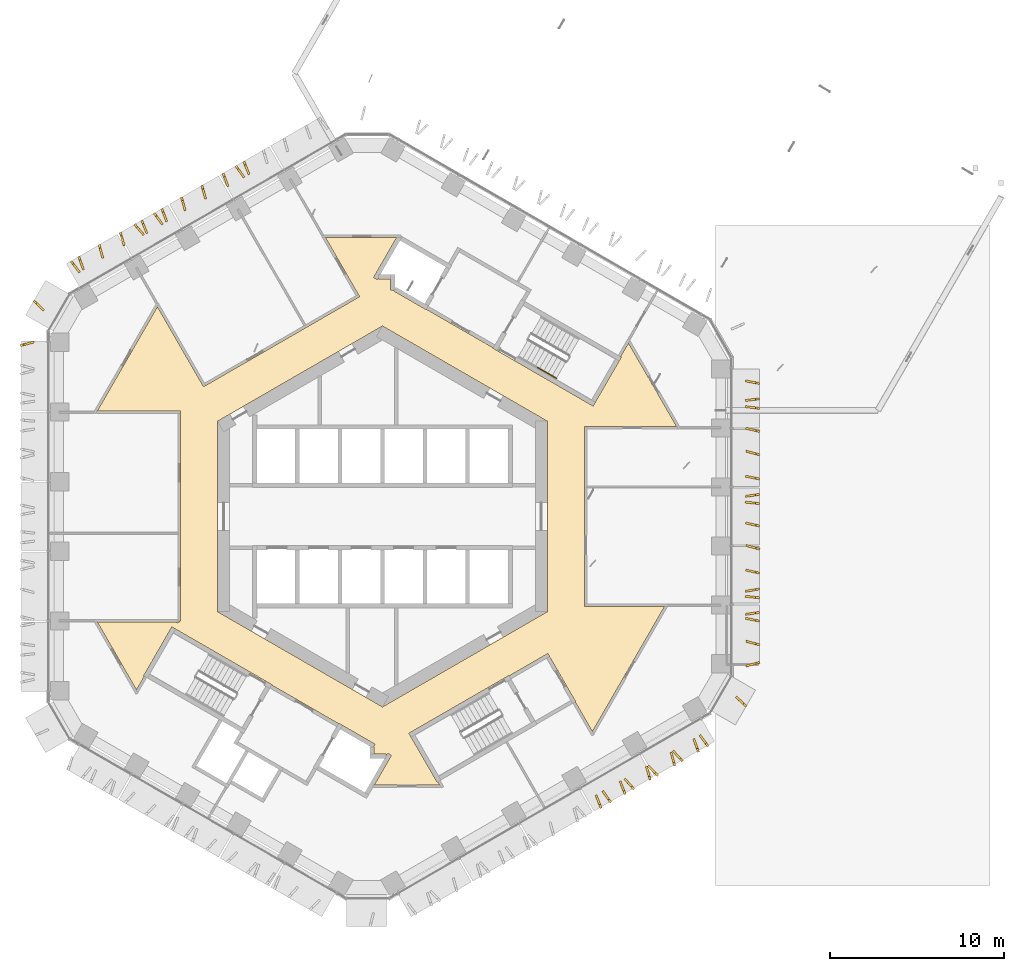
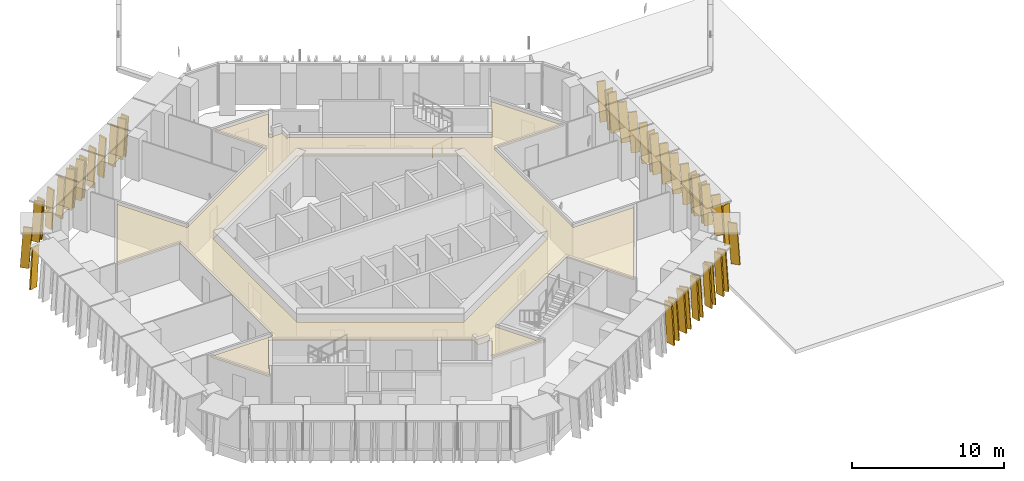
# One storey, part 24 of 25: 43 shading devices, 1 covering, 1 railing.
"""IFC4 building model written with IfcOpenShell, lengths in metres."""

from ifc_helpers import new_model, si_unit, direction, frame, origin, origin_2d, place, context, subcontext, project, spatial, polyline, circle, outline, extrude, material, layer, layer_set, type_object, element, save


model = new_model("IFC4")

# Units and contexts
model_context = context("Model", 3, precision=1e-05, world=origin(), true_north=direction((0.0, 1.0)))
body_context = subcontext(model_context, "Body", "Model", "MODEL_VIEW")
ifc_project = project(units=[si_unit("LENGTHUNIT", "METRE"), si_unit("AREAUNIT", "SQUARE_METRE"), si_unit("VOLUMEUNIT", "CUBIC_METRE"), si_unit("PLANEANGLEUNIT", "RADIAN"), si_unit("MASSUNIT", "GRAM", prefix="KILO")], contexts=[model_context])

# Site, building, storey
site_placement = place(None, origin())
site = spatial("IfcSite", under=ifc_project, at=site_placement, CompositionType="ELEMENT")
building_placement = place(site_placement, origin())
building = spatial("IfcBuilding", under=site, at=building_placement, Name="Ayvan Gate Tower", CompositionType="ELEMENT")
storey_placement = place(building_placement, frame((0.0, 0.0, 132.5)))
storey = spatial("IfcBuildingStorey", under=building, at=storey_placement, Name="L35", CompositionType="ELEMENT", Elevation=132.5)

# Shading devices
ifc_material_1 = material(Name="Bronze anodised aluminium", Category="aluminium")
ifc_layer_1 = layer(ifc_material_1, 0.1201171875)
ifc_layer_set_1 = layer_set([ifc_layer_1], Name="Bronze anodised aluminium")
shading_device_type = type_object("IfcShadingDeviceType", Name="Bronze fin 600 x 120", PredefinedType="USERDEFINED", material=ifc_layer_set_1)
shading_device_1_placement = place(storey_placement, frame((-7.707763671875, 19.92236328125, 0.0), z_axis=(0.927293339649, 0.374335178796, 0.000485961577), x_axis=(-0.374335222998, 0.927293449143, 0.0)))
element("IfcShadingDevice", 1, at=shading_device_1_placement, inside=storey, type_object=shading_device_type, Name="Bronze fin FG12.1.8", ObjectType="FIN", PredefinedType="USERDEFINED", context=body_context, shape_type="SweptSolid", body=[
    extrude(outline(polyline([(0.0, 0.0), (0.6000220155650543, -1.3552527156068805e-20), (0.3834569818150273, 3.2800296841787207), (-0.21656503375002703, 3.2800296841787207), (0.0, 0.0)])), origin(), (0.0, 0.0, -1.0), 0.1201171875),
])
shading_device_2_placement = place(storey_placement, frame((-8.044189453125, 19.7392578125, 0.0), z_axis=(0.808295882597, 0.588776311159, 0.000470737692), x_axis=(-0.588776376373, 0.80829597217, -5.6378e-08)))
element("IfcShadingDevice", 2, at=shading_device_2_placement, inside=storey, type_object=shading_device_type, Name="Bronze fin FG12.1.9", ObjectType="FIN", PredefinedType="USERDEFINED", context=body_context, shape_type="SweptSolid", body=[
    extrude(outline(polyline([(0.0, 0.0), (0.600108279617208, 2.710505431213761e-20), (0.3835117122447833, 3.2800296819140593), (-0.21639922948859436, 3.2800296142593566), (0.0, 0.0)])), origin(), (0.0, 0.0, -1.0), 0.1201171875),
])
shading_device_3_placement = place(storey_placement, frame((-8.9130859375, 19.230224609375, 0.0), z_axis=(0.936854756872, 0.349718420644, 0.000436792834), x_axis=(-0.349718453958, 0.93685484626, -1.14314e-07)))
element("IfcShadingDevice", 3, at=shading_device_3_placement, inside=storey, type_object=shading_device_type, Name="Bronze fin FG12.1.10", ObjectType="FIN", PredefinedType="USERDEFINED", context=body_context, shape_type="SweptSolid", body=[
    extrude(outline(polyline([(0.0, 0.0), (0.6000939606658083, 0.0), (0.3836105542323534, 3.280029653622347), (-0.21634006258767793, 3.2800295164400035), (0.0, 0.0)])), origin(), (0.0, 0.0, -1.0), 0.1201171875),
])
shading_device_4_placement = place(storey_placement, frame((-10.18359375, 18.51513671875, 0.0), z_axis=(0.962856068888, 0.270014793621, 0.000449256156), x_axis=(-0.270014820832, 0.962856166066, -8.8023e-08)))
element("IfcShadingDevice", 4, at=shading_device_4_placement, inside=storey, type_object=shading_device_type, Name="Bronze fin FG12.1.12", ObjectType="FIN", PredefinedType="USERDEFINED", context=body_context, shape_type="SweptSolid", body=[
    extrude(outline(polyline([(0.0, 0.0), (0.5998870886531863, 0.0), (0.3835402483630028, 3.280029661641364), (-0.21641276187730057, 3.2800295560278805), (0.0, 0.0)])), origin(), (0.0, 0.0, -1.0), 0.1201171875),
])
shading_device_5_placement = place(storey_placement, frame((-11.359619140625, 17.836181640625, 0.0), z_axis=(0.962803161758, 0.270203423249, 0.000426348123), x_axis=(-0.270203447807, 0.962803249264, 0.0)))
element("IfcShadingDevice", 5, at=shading_device_5_placement, inside=storey, type_object=shading_device_type, Name="Bronze fin FG12.1.14", ObjectType="FIN", PredefinedType="USERDEFINED", context=body_context, shape_type="SweptSolid", body=[
    extrude(outline(polyline([(0.0, 0.0), (0.5999530217535013, 0.0), (0.38354081840694104, 3.280029594984967), (-0.2164122033465603, 3.280029594984967), (0.0, 0.0)])), origin(), (0.0, 0.0, -1.0), 0.1201171875),
])
shading_device_6_placement = place(storey_placement, frame((-12.441162109375, 17.193359375, 0.0), z_axis=(0.936921390355, 0.349539836836, 0.000459085337), x_axis=(-0.349539873685, 0.936921489083, 3.2655e-08)))
element("IfcShadingDevice", 6, at=shading_device_6_placement, inside=storey, type_object=shading_device_type, Name="Bronze fin FG12.1.16", ObjectType="FIN", PredefinedType="USERDEFINED", context=body_context, shape_type="SweptSolid", body=[
    extrude(outline(polyline([(0.0, 0.0), (0.5998652391022867, -1.3552527156068805e-20), (0.38361075624093743, 3.2800296299967537), (-0.2164832234592698, 3.2800296691811353), (0.0, 0.0)])), origin(), (0.0, 0.0, -1.0), 0.1201171875),
])
shading_device_7_placement = place(storey_placement, frame((-12.748291015625, 17.023193359375, 0.0), z_axis=(0.808463194661, 0.588546558166, 0.0004601624), x_axis=(-0.588546620507, 0.808463280236, 7.5675e-08)))
element("IfcShadingDevice", 7, at=shading_device_7_placement, inside=storey, type_object=shading_device_type, Name="Bronze fin FG12.1.17", ObjectType="FIN", PredefinedType="USERDEFINED", context=body_context, shape_type="SweptSolid", body=[
    extrude(outline(polyline([(0.0, 0.0), (0.6001082758062384, 2.710505431213761e-20), (0.3837090697809063, 3.2800296151100916), (-0.21625551788556, 3.280029705925488), (0.0, 0.0)])), origin(), (0.0, 0.0, -1.0), 0.1201171875),
])
shading_device_8_placement = place(storey_placement, frame((-13.588134765625, 16.52734375, 0.0), z_axis=(0.927293351845, 0.37433518372, 0.000458098897), x_axis=(-0.374335222998, 0.927293449143, 0.0)))
element("IfcShadingDevice", 8, at=shading_device_8_placement, inside=storey, type_object=shading_device_type, Name="Bronze fin FG12.1.18", ObjectType="FIN", PredefinedType="USERDEFINED", context=body_context, shape_type="SweptSolid", body=[
    extrude(outline(polyline([(0.0, 0.0), (0.6000220155650543, -2.710505431213761e-20), (0.3836833718172594, 3.280029641039672), (-0.21633864374779488, 3.280029641039672), (0.0, 0.0)])), origin(), (0.0, 0.0, -1.0), 0.1201171875),
])
shading_device_9_placement = place(storey_placement, frame((-13.8427734375, 16.41650390625, 0.0), z_axis=(0.752072183247, 0.659080574009, 0.000477650537), x_axis=(-0.65908064922, 0.752072269017, 7.3087e-08)))
element("IfcShadingDevice", 9, at=shading_device_9_placement, inside=storey, type_object=shading_device_type, Name="Bronze fin FG12.1.19", ObjectType="FIN", PredefinedType="USERDEFINED", context=body_context, shape_type="SweptSolid", body=[
    extrude(outline(polyline([(0.0, 0.0), (0.5999854015817941, -2.710505431213761e-20), (0.38345554632396633, 3.2800296430189175), (-0.21636894689620187, 3.280029730709238), (0.0, 0.0)])), origin(), (0.0, 0.0, -1.0), 0.1201171875),
])
shading_device_10_placement = place(storey_placement, frame((-14.87353515625, 15.803955078125, 0.0), z_axis=(0.959423691851, 0.281968031575, 0.000456820401), x_axis=(-0.281968060996, 0.95942379196, 0.0)))
element("IfcShadingDevice", 10, at=shading_device_10_placement, inside=storey, type_object=shading_device_type, Name="Bronze fin FG12.1.20", ObjectType="FIN", PredefinedType="USERDEFINED", context=body_context, shape_type="SweptSolid", body=[
    extrude(outline(polyline([(0.0, 0.0), (0.6000305585231902, 0.0), (0.38366598878866565, 3.280029639121312), (-0.2163645697345246, 3.280029639121312), (0.0, 0.0)])), origin(), (0.0, 0.0, -1.0), 0.1201171875),
])
shading_device_11_placement = place(storey_placement, frame((-16.102783203125, 15.099853515625, 0.0), z_axis=(0.964829420845, 0.262876341571, 0.000466598154), x_axis=(-0.262876370187, 0.964829525873, 0.0)))
element("IfcShadingDevice", 11, at=shading_device_11_placement, inside=storey, type_object=shading_device_type, Name="Bronze fin FG12.1.22", ObjectType="FIN", PredefinedType="USERDEFINED", context=body_context, shape_type="SweptSolid", body=[
    extrude(outline(polyline([(0.0, 0.0), (0.5999582375456302, -1.3552527156068805e-20), (0.3835198001173959, 3.2800296539289406), (-0.21643843742823415, 3.2800296539289406), (0.0, 0.0)])), origin(), (0.0, 0.0, -1.0), 0.1201171875),
])
shading_device_12_placement = place(storey_placement, frame((-17.236572265625, 14.427978515625, 0.0), z_axis=(0.943087882297, 0.332543288665, 0.00045544309), x_axis=(-0.332543323154, 0.943087980109, 0.0)))
element("IfcShadingDevice", 12, at=shading_device_12_placement, inside=storey, type_object=shading_device_type, Name="Bronze fin FG12.1.24", ObjectType="FIN", PredefinedType="USERDEFINED", context=body_context, shape_type="SweptSolid", body=[
    extrude(outline(polyline([(0.0, 0.0), (0.5998102404611585, 0.0), (0.38340087822417684, 3.280029637060681), (-0.21640936223698165, 3.280029637060681), (0.0, 0.0)])), origin(), (0.0, 0.0, -1.0), 0.1201171875),
])
shading_device_13_placement = place(storey_placement, frame((-17.52685546875, 14.2685546875, 0.0), z_axis=(0.797453931939, 0.603379684217, 0.000427911564), x_axis=(-0.603379739459, 0.79745400495, 0.0)))
element("IfcShadingDevice", 13, at=shading_device_13_placement, inside=storey, type_object=shading_device_type, Name="Bronze fin FG12.1.25", ObjectType="FIN", PredefinedType="USERDEFINED", context=body_context, shape_type="SweptSolid", body=[
    extrude(outline(polyline([(0.0, 0.0), (0.6000542000291014, 0.0), (0.38374960886025666, 3.280029597175347), (-0.21630459116884465, 3.280029597175347), (0.0, 0.0)])), origin(), (0.0, 0.0, -1.0), 0.1201171875),
])
shading_device_14_placement = place(storey_placement, frame((-19.6171875, 12.060302734375, 0.0), z_axis=(0.690122355678, 0.7236925764, 0.000434806499), x_axis=(-0.723692644791, 0.690122420934, -6.106e-08)))
element("IfcShadingDevice", 14, at=shading_device_14_placement, inside=storey, type_object=shading_device_type, Name="Bronze fin FG12.2.26", ObjectType="FIN", PredefinedType="USERDEFINED", context=body_context, shape_type="SweptSolid", body=[
    extrude(outline(polyline([(0.0, 0.0), (0.599895788169426, 2.710505431213761e-20), (0.383560718255531, 3.2800296303509904), (-0.21651175268850217, 3.2800295570809945), (0.0, 0.0)])), origin(), (0.0, 0.0, -1.0), 0.1201171875),
])
shading_device_15_placement = place(storey_placement, frame((-20.294921875, 10.051025390625, 0.0), z_axis=(-0.250856222951, 0.968024256934, 0.000439765083), x_axis=(-0.968024350549, -0.250856247171, -8.6615e-08)))
element("IfcShadingDevice", 15, at=shading_device_15_placement, inside=storey, type_object=shading_device_type, Name="Bronze fin FG12.3.27", ObjectType="FIN", PredefinedType="USERDEFINED", context=body_context, shape_type="SweptSolid", body=[
    extrude(outline(polyline([(0.0, 0.0), (0.5999651802277209, 1.3552527156068805e-20), (0.3837251826258792, 3.280029647279147), (-0.21630124180281124, 3.2800295433423705), (0.0, 0.0)])), origin(), (0.0, 0.0, -1.0), 0.1201171875),
])
shading_device_16_placement = place(storey_placement, frame((12.3193359375, -16.26611328125, 0.0), z_axis=(-0.932993762786, -0.359892273521, 0.000435962048), x_axis=(0.359892307756, -0.932993851436, 8.2745e-08)))
element("IfcShadingDevice", 16, at=shading_device_16_placement, inside=storey, type_object=shading_device_type, Name="Bronze fin FG12.7.94", ObjectType="FIN", PredefinedType="USERDEFINED", context=body_context, shape_type="SweptSolid", body=[
    extrude(outline(polyline([(0.0, 0.0), (0.6000633773700281, 0.0), (0.38364321726244993, 3.2800295768365495), (-0.21633229577462995, 3.2800296761334566), (0.0, 0.0)])), origin(), (0.0, 0.0, -1.0), 0.1201171875),
])
shading_device_17_placement = place(storey_placement, frame((12.7578125, -16.01953125, 0.0), z_axis=(-0.815804386991, -0.578327779453, 0.000426237676), x_axis=(0.578327831971, -0.815804461111, -5.0154e-08)))
element("IfcShadingDevice", 17, at=shading_device_17_placement, inside=storey, type_object=shading_device_type, Name="Bronze fin FG12.7.95", ObjectType="FIN", PredefinedType="USERDEFINED", context=body_context, shape_type="SweptSolid", body=[
    extrude(outline(polyline([(0.0, 0.0), (0.599973582460267, 1.3552527156068805e-20), (0.3834498872247124, 3.2800296140620087), (-0.21632452422454138, 3.280029553890086), (0.0, 0.0)])), origin(), (0.0, 0.0, -1.0), 0.1201171875),
])
shading_device_18_placement = place(storey_placement, frame((13.7060546875, -15.465087890625, 0.0), z_axis=(-0.931874681269, -0.362780034214, 0.000474537134), x_axis=(0.362780075101, -0.931874786176, 8.9968e-08)))
element("IfcShadingDevice", 18, at=shading_device_18_placement, inside=storey, type_object=shading_device_type, Name="Bronze fin FG12.7.96", ObjectType="FIN", PredefinedType="USERDEFINED", context=body_context, shape_type="SweptSolid", body=[
    extrude(outline(polyline([(0.0, 0.0), (0.5999983123369321, 0.0), (0.3836336595131809, 3.280029631667848), (-0.21627608346947855, 3.2800297396211078), (0.0, 0.0)])), origin(), (0.0, 0.0, -1.0), 0.1201171875),
])
shading_device_19_placement = place(storey_placement, frame((14.04541015625, -15.307373046875, 0.0), z_axis=(-0.745182698022, -0.666860192224, 0.000480203699), x_axis=(0.666860269135, -0.745182783919, 6.5156e-08)))
element("IfcShadingDevice", 19, at=shading_device_19_placement, inside=storey, type_object=shading_device_type, Name="Bronze fin FG12.7.97", ObjectType="FIN", PredefinedType="USERDEFINED", context=body_context, shape_type="SweptSolid", body=[
    extrude(outline(polyline([(0.0, 0.0), (0.5999545064618788, 0.0), (0.3837483026363814, 3.2800296500518513), (-0.21638813321610265, 3.2800297282445565), (0.0, 0.0)])), origin(), (0.0, 0.0, -1.0), 0.1201171875),
])
shading_device_20_placement = place(storey_placement, frame((15.19970703125, -14.621826171875, 0.0), z_axis=(-0.961308579036, -0.275473400215, 0.000470793098), x_axis=(0.275473430755, -0.961308685568, 2.6391e-08)))
element("IfcShadingDevice", 20, at=shading_device_20_placement, inside=storey, type_object=shading_device_type, Name="Bronze fin FG12.7.98", ObjectType="FIN", PredefinedType="USERDEFINED", context=body_context, shape_type="SweptSolid", body=[
    extrude(outline(polyline([(0.0, 0.0), (0.5998795478350225, 0.0), (0.3836787102505503, 3.2800296502523163), (-0.21643553208778463, 3.2800296819213495), (0.0, 0.0)])), origin(), (0.0, 0.0, -1.0), 0.1201171875),
])
shading_device_21_placement = place(storey_placement, frame((15.395263671875, -14.54931640625, 0.0), z_axis=(-0.707513447758, -0.706699746265, 0.000435740632), x_axis=(0.706699813356, -0.707513514926, 0.0)))
element("IfcShadingDevice", 21, at=shading_device_21_placement, inside=storey, type_object=shading_device_type, Name="Bronze fin FG12.7.99", ObjectType="FIN", PredefinedType="USERDEFINED", context=body_context, shape_type="SweptSolid", body=[
    extrude(outline(polyline([(0.0, 0.0), (0.600074115784975, 0.0), (0.3837634927806824, 3.280029608264458), (-0.21631062300429266, 3.280029608264458), (0.0, 0.0)])), origin(), (0.0, 0.0, -1.0), 0.1201171875),
])
shading_device_22_placement = place(storey_placement, frame((16.617919921875, -13.8056640625, 0.0), z_axis=(-0.963942145577, -0.266111508319, 0.000452903434), x_axis=(0.266111535611, -0.963942244439, 0.0)))
element("IfcShadingDevice", 22, at=shading_device_22_placement, inside=storey, type_object=shading_device_type, Name="Bronze fin FG12.7.100", ObjectType="FIN", PredefinedType="USERDEFINED", context=body_context, shape_type="SweptSolid", body=[
    extrude(outline(polyline([(0.0, 0.0), (0.6000039358804674, 0.0), (0.3836122819667457, 3.2800296332773504), (-0.21639165391372178, 3.2800296332773504), (0.0, 0.0)])), origin(), (0.0, 0.0, -1.0), 0.1201171875),
])
shading_device_23_placement = place(storey_placement, frame((16.839111328125, -13.70068359375, 0.0), z_axis=(-0.733647903118, -0.679529671773, 0.000423592056), x_axis=(0.679529732737, -0.733647968937, 0.0)))
element("IfcShadingDevice", 23, at=shading_device_23_placement, inside=storey, type_object=shading_device_type, Name="Bronze fin FG12.7.101", ObjectType="FIN", PredefinedType="USERDEFINED", context=body_context, shape_type="SweptSolid", body=[
    extrude(outline(polyline([(0.0, 0.0), (0.5999955912269104, -2.710505431213761e-20), (0.38364682368248526, 3.280029591143245), (-0.21634876754442517, 3.280029591143245), (0.0, 0.0)])), origin(), (0.0, 0.0, -1.0), 0.1201171875),
])
shading_device_24_placement = place(storey_placement, frame((17.9404296875, -13.02392578125, 0.0), z_axis=(-0.93961495877, -0.342233079396, 0.000498621402), x_axis=(0.34223312194, -0.939615075575, 0.0)))
element("IfcShadingDevice", 24, at=shading_device_24_placement, inside=storey, type_object=shading_device_type, Name="Bronze fin FG12.7.102", ObjectType="FIN", PredefinedType="USERDEFINED", context=body_context, shape_type="SweptSolid", body=[
    extrude(outline(polyline([(0.0, 0.0), (0.5999485510384431, -1.3552527156068805e-20), (0.3835858007159246, 3.280029704620935), (-0.21636275032251864, 3.280029704620935), (0.0, 0.0)])), origin(), (0.0, 0.0, -1.0), 0.1201171875),
])
shading_device_25_placement = place(storey_placement, frame((18.35009765625, -12.794921875, 0.0), z_axis=(-0.803888496924, -0.594779849444, 0.000463905978), x_axis=(0.594779913445, -0.803888583426, 0.0)))
element("IfcShadingDevice", 25, at=shading_device_25_placement, inside=storey, type_object=shading_device_type, Name="Bronze fin FG12.7.103", ObjectType="FIN", PredefinedType="USERDEFINED", context=body_context, shape_type="SweptSolid", body=[
    extrude(outline(polyline([(0.0, 0.0), (0.6001103697036119, 0.0), (0.38378728851436184, 3.2800296498205697), (-0.21632308118925006, 3.2800296498205697), (0.0, 0.0)])), origin(), (0.0, 0.0, -1.0), 0.1201171875),
])
shading_device_26_placement = place(storey_placement, frame((20.474853515625, -10.572021484375, 0.0), z_axis=(-0.685948166521, -0.727650234771, 0.000498682044), x_axis=(0.727650325224, -0.685948251839, -6.9596e-08)))
element("IfcShadingDevice", 26, at=shading_device_26_placement, inside=storey, type_object=shading_device_type, Name="Bronze fin FG12.8.104", ObjectType="FIN", PredefinedType="USERDEFINED", context=body_context, shape_type="SweptSolid", body=[
    extrude(outline(polyline([(0.0, 0.0), (0.5999871909427696, 2.710505431213761e-20), (0.3836338165432119, 3.2800297314194373), (-0.2165310234047395, 3.2800296478938717), (0.0, 0.0)])), origin(), (0.0, 0.0, -1.0), 0.1201171875),
])
shading_device_27_placement = place(storey_placement, frame((21.158447265625, -8.61767578125, 0.0), z_axis=(0.253912376063, -0.967227112021, 0.000468030778), x_axis=(0.967227217958, 0.253912403873, 0.0)))
element("IfcShadingDevice", 27, at=shading_device_27_placement, inside=storey, type_object=shading_device_type, Name="Bronze fin FG12.9.105", ObjectType="FIN", PredefinedType="USERDEFINED", context=body_context, shape_type="SweptSolid", body=[
    extrude(outline(polyline([(0.0, 0.0), (0.5999854582772782, 1.3552527156068805e-20), (0.38356578135481645, 3.2800296561248747), (-0.21641967692246175, 3.2800296561248747), (0.0, 0.0)])), origin(), (0.0, 0.0, -1.0), 0.1201171875),
])
shading_device_28_placement = place(storey_placement, frame((21.12890625, -7.29833984375, 0.0), z_axis=(-0.257536010337, -0.966268601186, 0.00044016106), x_axis=(0.966268694789, -0.257536035285, 0.0)))
element("IfcShadingDevice", 28, at=shading_device_28_placement, inside=storey, type_object=shading_device_type, Name="Bronze fin FG12.9.106", ObjectType="FIN", PredefinedType="USERDEFINED", context=body_context, shape_type="SweptSolid", body=[
    extrude(outline(polyline([(0.0, 0.0), (0.6000753077294502, 2.710505431213761e-20), (0.3836634018941275, 3.2800296146143686), (-0.21641190583532263, 3.2800296146143686), (0.0, 0.0)])), origin(), (0.0, 0.0, -1.0), 0.1201171875),
])
shading_device_29_placement = place(storey_placement, frame((21.115234375, -5.96923828125, 0.0), z_axis=(-0.195333467102, -0.980736782741, 0.000446775933), x_axis=(0.980736880623, -0.195333486597, 0.0)))
element("IfcShadingDevice", 29, at=shading_device_29_placement, inside=storey, type_object=shading_device_type, Name="Bronze fin FG12.9.108", ObjectType="FIN", PredefinedType="USERDEFINED", context=body_context, shape_type="SweptSolid", body=[
    extrude(outline(polyline([(0.0, 0.0), (0.5999355361005015, 0.0), (0.38356729721341504, 3.280029624236298), (-0.2163682388870866, 3.280029624236298), (0.0, 0.0)])), origin(), (0.0, 0.0, -1.0), 0.1201171875),
])
shading_device_30_placement = place(storey_placement, frame((21.12353515625, -5.669921875, 0.0), z_axis=(0.13814496546, -0.990411917321, 0.000450051081), x_axis=(0.990412017618, 0.138144979491, 9.0684e-08)))
element("IfcShadingDevice", 30, at=shading_device_30_placement, inside=storey, type_object=shading_device_type, Name="Bronze fin FG12.9.109", ObjectType="FIN", PredefinedType="USERDEFINED", context=body_context, shape_type="SweptSolid", body=[
    extrude(outline(polyline([(0.0, 0.0), (0.60000784763385, -6.776263578034403e-21), (0.3835200771879383, 3.2800295942742816), (-0.21645404364427812, 3.2800297030934886), (0.0, 0.0)])), origin(), (0.0, 0.0, -1.0), 0.1201171875),
])
shading_device_31_placement = place(storey_placement, frame((21.104248046875, -4.68212890625, 0.0), z_axis=(-0.108242769746, -0.994124385303, 0.000457540002), x_axis=(0.99412448936, -0.108242781076, 0.0)))
element("IfcShadingDevice", 31, at=shading_device_31_placement, inside=storey, type_object=shading_device_type, Name="Bronze fin FG12.9.110", ObjectType="FIN", PredefinedType="USERDEFINED", context=body_context, shape_type="SweptSolid", body=[
    extrude(outline(polyline([(0.0, 0.0), (0.5999606218926438, 0.0), (0.3836836896889326, 3.2800296402003997), (-0.21627693220371114, 3.2800296402003997), (0.0, 0.0)])), origin(), (0.0, 0.0, -1.0), 0.1201171875),
])
shading_device_32_placement = place(storey_placement, frame((21.130859375, -4.3359375, 0.0), z_axis=(0.16802646456, -0.985782381665, 0.000450783469), x_axis=(0.985782481824, 0.168026481632, 0.0)))
element("IfcShadingDevice", 32, at=shading_device_32_placement, inside=storey, type_object=shading_device_type, Name="Bronze fin FG12.9.111", ObjectType="FIN", PredefinedType="USERDEFINED", context=body_context, shape_type="SweptSolid", body=[
    extrude(outline(polyline([(0.0, 0.0), (0.6000844458917703, -1.3552527156068805e-20), (0.38363242966397193, 3.2800296301354352), (-0.21645201622779842, 3.2800296301354352), (0.0, 0.0)])), origin(), (0.0, 0.0, -1.0), 0.1201171875),
])
shading_device_33_placement = place(storey_placement, frame((21.119384765625, -3.19189453125, 0.0), z_axis=(-0.216887351269, -0.976196539766, 0.000438871855), x_axis=(0.976196633778, -0.216887372157, 0.0)))
element("IfcShadingDevice", 33, at=shading_device_33_placement, inside=storey, type_object=shading_device_type, Name="Bronze fin FG12.9.112", ObjectType="FIN", PredefinedType="USERDEFINED", context=body_context, shape_type="SweptSolid", body=[
    extrude(outline(polyline([(0.0, 0.0), (0.5999747787578815, -6.776263578034403e-21), (0.38357399963898997, 3.2800296127558166), (-0.21640077911889158, 3.2800296127558166), (0.0, 0.0)])), origin(), (0.0, 0.0, -1.0), 0.1201171875),
])
shading_device_34_placement = place(storey_placement, frame((21.129150390625, -1.78271484375, 0.0), z_axis=(-0.258776726276, -0.965937025439, 0.000518482602), x_axis=(0.965937155273, -0.258776761059, 0.0)))
element("IfcShadingDevice", 34, at=shading_device_34_placement, inside=storey, type_object=shading_device_type, Name="Bronze fin FG12.9.114", ObjectType="FIN", PredefinedType="USERDEFINED", context=body_context, shape_type="SweptSolid", body=[
    extrude(outline(polyline([(0.0, 0.0), (0.6000285221314199, 2.710505431213761e-20), (0.38372440928655044, 3.2800297377507297), (-0.21630411284486945, 3.2800297377507297), (0.0, 0.0)])), origin(), (0.0, 0.0, -1.0), 0.1201171875),
])
shading_device_35_placement = place(storey_placement, frame((21.11865234375, -0.47998046875, 0.0), z_axis=(-0.213611918164, -0.976918505735, 0.00042611086), x_axis=(0.976918594425, -0.213611937556, 0.0)))
element("IfcShadingDevice", 35, at=shading_device_35_placement, inside=storey, type_object=shading_device_type, Name="Bronze fin FG12.9.116", ObjectType="FIN", PredefinedType="USERDEFINED", context=body_context, shape_type="SweptSolid", body=[
    extrude(outline(polyline([(0.0, 0.0), (0.6000312042069427, 0.0), (0.3835544190504093, 3.280029594653263), (-0.21647678515653326, 3.280029594653263), (0.0, 0.0)])), origin(), (0.0, 0.0, -1.0), 0.1201171875),
])
shading_device_36_placement = place(storey_placement, frame((21.10400390625, 0.74365234375, 0.0), z_axis=(-0.102968569121, -0.994684517514, 0.000429407429), x_axis=(0.99468460922, -0.102968578614, 0.0)))
element("IfcShadingDevice", 36, at=shading_device_36_placement, inside=storey, type_object=shading_device_type, Name="Bronze fin FG12.9.118", ObjectType="FIN", PredefinedType="USERDEFINED", context=body_context, shape_type="SweptSolid", body=[
    extrude(outline(polyline([(0.0, 0.0), (0.5998682215141302, 0.0), (0.38348514220554497, 3.280029599278556), (-0.21638307930858527, 3.280029599278556), (0.0, 0.0)])), origin(), (0.0, 0.0, -1.0), 0.1201171875),
])
shading_device_37_placement = place(storey_placement, frame((21.12451171875, 1.127197265625, 0.0), z_axis=(0.142019507456, -0.989863758984, 0.000445142257), x_axis=(0.989863857055, 0.142019521532, 1.2866e-08)))
element("IfcShadingDevice", 37, at=shading_device_37_placement, inside=storey, type_object=shading_device_type, Name="Bronze fin FG12.9.119", ObjectType="FIN", PredefinedType="USERDEFINED", context=body_context, shape_type="SweptSolid", body=[
    extrude(outline(polyline([(0.0, 0.0), (0.5998324495538215, 0.0), (0.3834890325054706, 3.280029616912841), (-0.21658508302907722, 3.28002963235025), (0.0, 0.0)])), origin(), (0.0, 0.0, -1.0), 0.1201171875),
])
shading_device_38_placement = place(storey_placement, frame((21.115478515625, 2.215576171875, 0.0), z_axis=(-0.19674209253, -0.980455164324, 0.000468804756), x_axis=(0.980455272072, -0.196742114115, 7.4769e-08)))
element("IfcShadingDevice", 38, at=shading_device_38_placement, inside=storey, type_object=shading_device_type, Name="Bronze fin FG12.9.120", ObjectType="FIN", PredefinedType="USERDEFINED", context=body_context, shape_type="SweptSolid", body=[
    extrude(outline(polyline([(0.0, 0.0), (0.599839646371757, 6.776263578034403e-21), (0.3836611070895495, 3.280029628627922), (-0.21646594098781963, 3.280029718348741), (0.0, 0.0)])), origin(), (0.0, 0.0, -1.0), 0.1201171875),
])
shading_device_39_placement = place(storey_placement, frame((21.128662109375, 3.64697265625, 0.0), z_axis=(-0.256725550596, -0.966484224152, 0.000485939704), x_axis=(0.966484338266, -0.256725580895, 2.5373e-08)))
element("IfcShadingDevice", 39, at=shading_device_39_placement, inside=storey, type_object=shading_device_type, Name="Bronze fin FG12.9.122", ObjectType="FIN", PredefinedType="USERDEFINED", context=body_context, shape_type="SweptSolid", body=[
    extrude(outline(polyline([(0.0, 0.0), (0.600185700504289, 1.3552527156068805e-20), (0.3835392067064459, 3.280029674412225), (-0.216410535707446, 3.2800297048635505), (0.0, 0.0)])), origin(), (0.0, 0.0, -1.0), 0.1201171875),
])
shading_device_40_placement = place(storey_placement, frame((21.122314453125, 4.972900390625, 0.0), z_axis=(-0.230648805408, -0.973036935689, 0.000500347746), x_axis=(0.973037057488, -0.230648834279, 0.0)))
element("IfcShadingDevice", 40, at=shading_device_40_placement, inside=storey, type_object=shading_device_type, Name="Bronze fin FG12.9.124", ObjectType="FIN", PredefinedType="USERDEFINED", context=body_context, shape_type="SweptSolid", body=[
    extrude(outline(polyline([(0.0, 0.0), (0.6001666334346955, 0.0), (0.38374773437942034, 3.280029707449246), (-0.21641889905527517, 3.280029707449246), (0.0, 0.0)])), origin(), (0.0, 0.0, -1.0), 0.1201171875),
])
shading_device_41_placement = place(storey_placement, frame((21.10595703125, 6.24072265625, 0.0), z_axis=(-0.127764752392, -0.991804407502, 0.000430471866), x_axis=(0.991804499395, -0.127764764235, -1.1192e-08)))
element("IfcShadingDevice", 41, at=shading_device_41_placement, inside=storey, type_object=shading_device_type, Name="Bronze fin FG12.9.126", ObjectType="FIN", PredefinedType="USERDEFINED", context=body_context, shape_type="SweptSolid", body=[
    extrude(outline(polyline([(0.0, 0.0), (0.5998890871570237, -6.776263578034403e-21), (0.3835784163140588, 3.2800296050725257), (-0.21655281061332501, 3.280029591642292), (0.0, 0.0)])), origin(), (0.0, 0.0, -1.0), 0.1201171875),
])
shading_device_42_placement = place(storey_placement, frame((21.11962890625, 6.64404296875, 0.0), z_axis=(0.120027573886, -0.992770441636, 0.000481373162), x_axis=(0.992770556659, 0.120027587793, 0.0)))
element("IfcShadingDevice", 42, at=shading_device_42_placement, inside=storey, type_object=shading_device_type, Name="Bronze fin FG12.9.127", ObjectType="FIN", PredefinedType="USERDEFINED", context=body_context, shape_type="SweptSolid", body=[
    extrude(outline(polyline([(0.0, 0.0), (0.6000410880484303, -6.776263578034403e-21), (0.3835778021119822, 3.280029676899459), (-0.216463285936448, 3.280029676899459), (0.0, 0.0)])), origin(), (0.0, 0.0, -1.0), 0.1201171875),
])
shading_device_43_placement = place(storey_placement, frame((21.112548828125, 7.709228515625, 0.0), z_axis=(-0.180012977346, -0.983664133838, 0.000446975131), x_axis=(0.983664232107, -0.180012995289, 8.9435e-08)))
element("IfcShadingDevice", 43, at=shading_device_43_placement, inside=storey, type_object=shading_device_type, Name="Bronze fin FG12.9.128", ObjectType="FIN", PredefinedType="USERDEFINED", context=body_context, shape_type="SweptSolid", body=[
    extrude(outline(polyline([(0.0, 0.0), (0.6001137346564895, -1.3552527156068805e-20), (0.3836897871879528, 3.2800295902130534), (-0.21646789595371466, 3.2800296975591348), (0.0, 0.0)])), origin(), (0.0, 0.0, -1.0), 0.1201171875),
])

# Covering
ifc_material_2 = material(Name="Plasterboard suspended ceiling")
ifc_layer_2 = layer(ifc_material_2, 0.050048828125)
ifc_layer_set_2 = layer_set([ifc_layer_2], Name="Plasterboard suspended ceiling")
covering_type = type_object("IfcCoveringType", Name="CT-SUSP-50", PredefinedType="CEILING", material=ifc_layer_set_2)
covering_placement = place(storey_placement, frame((0.0, 0.0, 2.699951171875)))
element("IfcCovering", 44, at=covering_placement, inside=storey, type_object=covering_type, Name="Ceiling Ring Corridor L35", PredefinedType="CEILING", context=body_context, shape_type="SweptSolid", body=[
    extrude(outline(polyline([(-11.914794921875, -6.48681640625), (-12.131103515625, -6.36181640625), (-13.756103515625, -9.17626953125), (-13.712890625, -9.201416015625), (-14.1669921875, -9.988037109375), (-16.4208984375, -6.08447265625), (-11.82666015625, -6.08447265625), (-11.870849609375, -6.160888671875), (-11.699951171875, -6.062255859375), (-11.699951171875, -6.009521484375), (-11.625, -6.009521484375), (-11.625, 6.08447265625), (-16.4208984375, 6.08447265625), (-12.96240234375, 12.07470703125), (-10.305908203125, 7.473388671875), (-10.193115234375, 7.538330078125), (-1.319091796875, 12.66162109375), (-1.394287109375, 12.791748046875), (-3.282958984375, 16.06298828125), (0.81591796875, 16.06298828125), (-0.511474609375, 13.76416015625), (-0.294921875, 13.63916015625), (-0.215576171875, 13.776611328125), (-0.215576171875, 13.68505859375), (0.47509765625, 13.68505859375), (0.47509765625, 13.03857421875), (0.672119140625, 13.03857421875), (0.645751953125, 12.992919921875), (2.518310546875, 11.91162109375), (2.53076171875, 11.933349609375), (6.384521484375, 9.70849609375), (6.3720703125, 9.686767578125), (6.588623046875, 9.561767578125), (12.131103515625, 6.36181640625), (12.24609375, 6.56103515625), (13.631103515625, 8.959716796875), (13.756103515625, 9.176513671875), (13.712890625, 9.201416015625), (14.1669921875, 9.988037109375), (16.938232421875, 5.1884765625), (11.625, 5.1884765625), (11.625, -5.1884765625), (16.245361328125, -5.1884765625), (12.088623046875, -12.387939453125), (11.102294921875, -10.6796875), (11.123779296875, -10.667236328125), (9.623779296875, -8.069091796875), (9.52392578125, -7.89599609375), (7.2939453125, -9.183349609375), (7.281494140625, -9.16162109375), (1.522216796875, -12.48681640625), (1.647216796875, -12.703369140625), (3.147216796875, -15.30126953125), (3.190673828125, -15.2763671875), (3.29833984375, -15.463134765625), (-0.469482421875, -15.463134765625), (0.511474609375, -13.76416015625), (0.294921875, -13.63916015625), (0.215576171875, -13.776611328125), (0.215576171875, -13.68505859375), (-0.47509765625, -13.68505859375), (-0.47509765625, -13.28857421875), (-0.52783203125, -13.28857421875), (-0.42919921875, -13.117919921875), (-2.284423828125, -12.046630859375), (-2.518310546875, -11.91162109375), (-2.53076171875, -11.933349609375), (-6.384521484375, -9.70849609375), (-6.3720703125, -9.686767578125), (-11.91455078125, -6.48681640625), (-11.914794921875, -6.48681640625)]), holes=[polyline([(-8.771728515625, -5.9052734375), (0.0, -10.9697265625), (8.38720703125, -6.127197265625), (8.771728515625, -5.9052734375), (9.5, -5.48486328125), (9.5, 5.48486328125), (8.771728515625, 5.9052734375), (0.0, 10.9697265625), (-8.771728515625, 5.9052734375), (-9.5, 5.48486328125), (-9.5, -5.48486328125), (-8.771728515625, -5.9052734375)])]), origin(), (0.0, 0.0, 1.0), 0.050048828125),
])

# Railing
ifc_material_3 = material(Name="Stainless steel balustrade", Category="steel")
railing_type = type_object("IfcRailingType", Name="RL-HANDRAIL-900", PredefinedType="HANDRAIL", material=ifc_material_3)
railing_placement = place(storey_placement, frame((8.92236328125, 8.583984375, 0.93505859375)))
element("IfcRailing", 45, at=railing_placement, inside=storey, type_object=railing_type, Name="L35 STS1 stair handrail 2", PredefinedType="HANDRAIL", context=body_context, shape_type="SweptSolid", body=[
    extrude(circle(Radius=0.02392578125, at=origin_2d()), frame((0.0, 0.0, 0.8759765625), z_axis=(0.740229329464, -0.427507697325, 0.518939021976), x_axis=(0.50011940292, 0.865956455501, 0.0)), (0.0, 0.0, 1.0), 1.473876953125),
    extrude(circle(Radius=0.02099609375, at=origin_2d()), origin(), (0.0, 0.0, 1.0), 0.851806640625),
    extrude(circle(Radius=0.02099609375, at=origin_2d()), frame((0.54541015625, -0.31494140625, 0.38232421875)), (0.0, 0.0, 1.0), 0.851806640625),
    extrude(circle(Radius=0.02099609375, at=origin_2d()), frame((1.091064453125, -0.630126953125, 0.764892578125)), (0.0, 0.0, 1.0), 0.851806640625),
])

save(model, "model.ifc")
